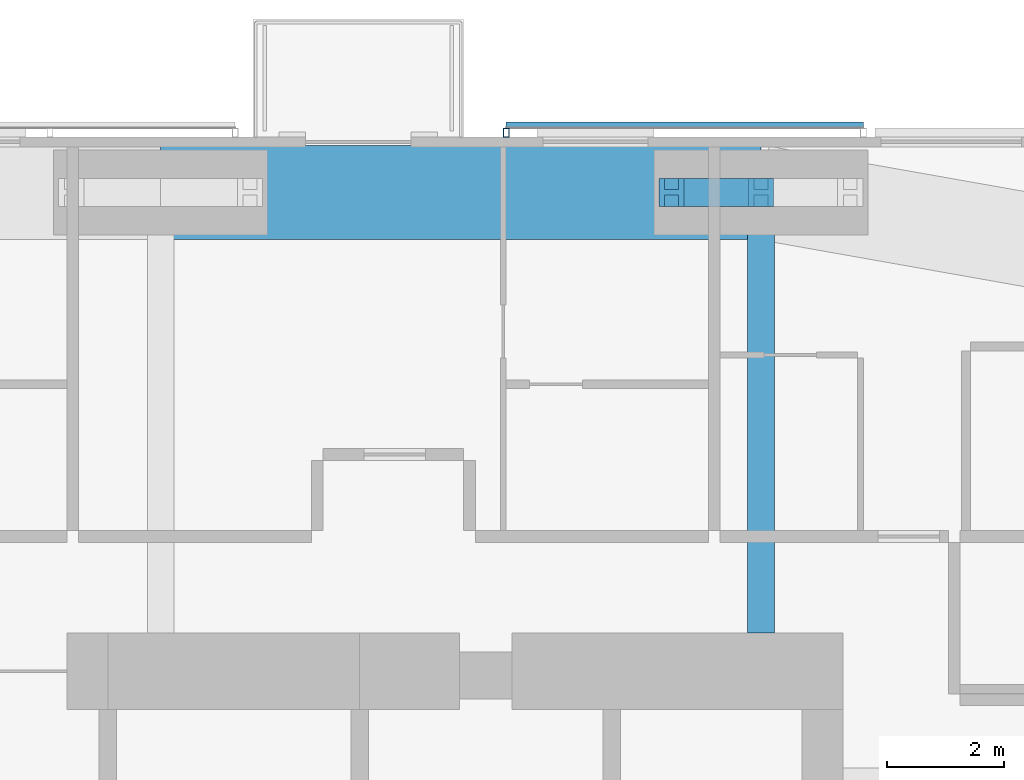
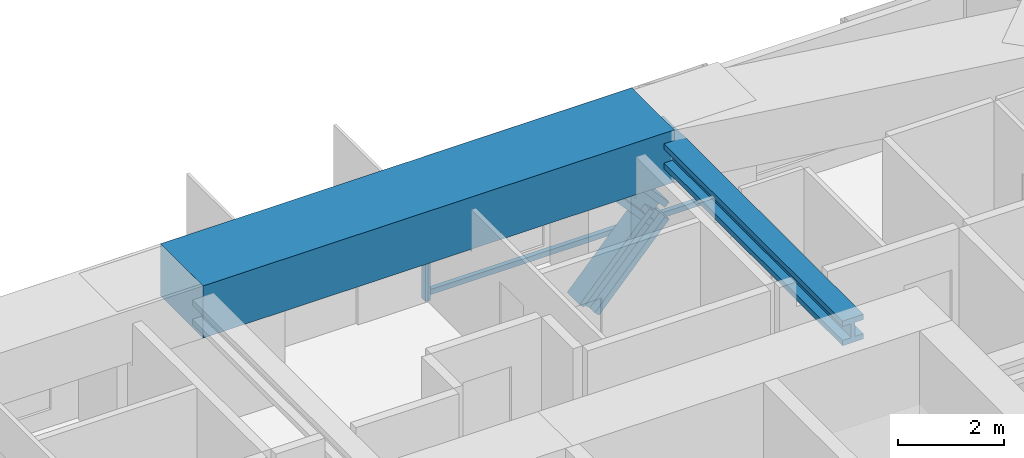
# One storey, part 13 of 23: 4 members, 2 beams, 1 element without a shape of its own.
"""IFC4 building model written with IfcOpenShell, lengths in metres."""

import ifcopenshell
import ifcopenshell.guid

model = None  # the IFC model being written
_history = None  # IfcOwnerHistory: only IFC2X3 demands one
_inside = {}  # id of a spatial element -> (the spatial element, [elements in it])
_under = {}  # id of a project, library or spatial element -> (it, [spatial elements below it])
_declared = {}  # id of a project -> (the project, [libraries it declares])
_typed = {}  # id of a type object -> (the type object, [elements of that type])
_made_of = {}  # id of a material, layer set ... -> (it, [elements and type objects made of it])


def new_model(schema):
    """Start an empty IFC model of exactly this schema.

    Asked for "IFC4X3", IfcOpenShell would pick the latest addendum, in which some entities
    have other attributes; the version numbers below select the first issue.
    IFC2X3 requires an IfcOwnerHistory on every rooted entity: one is made here for all.
    """
    global model, _history
    if schema == "IFC4X3":
        model = ifcopenshell.file(schema_version=(4, 3, 0, 0))
    else:
        model = ifcopenshell.file(schema=schema)
    _inside.clear()
    _under.clear()
    _declared.clear()
    _typed.clear()
    _made_of.clear()
    _history = None
    if model.schema == "IFC2X3":
        org = make("IfcOrganization", Name="unknown")
        user = make(
            "IfcPersonAndOrganization",
            ThePerson=make("IfcPerson", FamilyName="unknown"),
            TheOrganization=org,
        )
        app = make(
            "IfcApplication",
            ApplicationDeveloper=org,
            Version="unknown",
            ApplicationFullName="unknown",
            ApplicationIdentifier="unknown",
        )
        _history = make(
            "IfcOwnerHistory",
            OwningUser=user,
            OwningApplication=app,
            ChangeAction="ADDED",
            CreationDate=0,
        )
    return model


def make(cls, **values):
    """One entity of the class cls with the attributes given. An attribute that is None is left unset."""
    return model.create_entity(
        cls, **{name: value for name, value in values.items() if value is not None}
    )


def rooted(cls, **values):
    """An entity with a GlobalId (a new one), such as an element, a storey or a relation."""
    return make(cls, GlobalId=ifcopenshell.guid.new(), OwnerHistory=_history, **values)


def si_unit(unit_type, name, prefix=None):
    """IfcSIUnit, for example si_unit("LENGTHUNIT", "METRE", prefix="MILLI")."""
    return make("IfcSIUnit", UnitType=unit_type, Prefix=prefix, Name=name)


def assignment(units):
    """IfcUnitAssignment: the units of a project."""
    return None if units is None else make("IfcUnitAssignment", Units=units)


def point(xyz):
    """IfcCartesianPoint."""
    return None if xyz is None else make("IfcCartesianPoint", Coordinates=xyz)


def direction(xyz):
    """IfcDirection."""
    return None if xyz is None else make("IfcDirection", DirectionRatios=xyz)


def frame(location, z_axis=None, x_axis=None):
    """IfcAxis2Placement3D, a coordinate frame: its origin and axes. An axis left out is left unset."""
    return make(
        "IfcAxis2Placement3D",
        Location=point(location),
        Axis=direction(z_axis),
        RefDirection=direction(x_axis),
    )


def frame_2d(location, x_axis=None):
    """IfcAxis2Placement2D, a coordinate frame in the plane: its origin and x axis."""
    return make(
        "IfcAxis2Placement2D", Location=point(location), RefDirection=direction(x_axis)
    )


def origin():
    """The frame at (0, 0, 0) with its axes left unset."""
    return frame((0.0, 0.0, 0.0))


def origin_2d():
    """The frame at (0, 0) in the plane with its x axis left unset."""
    return frame_2d((0.0, 0.0))


def place(relative_to, where):
    """IfcLocalPlacement: puts the frame where relative to a parent placement (None: the world)."""
    return make(
        "IfcLocalPlacement", PlacementRelTo=relative_to, RelativePlacement=where
    )


def context(
    kind, dimensions, precision=None, world=None, true_north=None, identifier=None
):
    """IfcGeometricRepresentationContext, for example the 3D "Model" context."""
    return make(
        "IfcGeometricRepresentationContext",
        ContextIdentifier=identifier,
        ContextType=kind,
        CoordinateSpaceDimension=dimensions,
        Precision=precision,
        WorldCoordinateSystem=world,
        TrueNorth=true_north,
    )


def subcontext(parent, identifier, kind, view, scale=None):
    """IfcGeometricRepresentationSubContext, for example "Body" below "Model"."""
    return make(
        "IfcGeometricRepresentationSubContext",
        ContextIdentifier=identifier,
        ContextType=kind,
        ParentContext=parent,
        TargetScale=scale,
        TargetView=view,
    )


def project(units=None, contexts=None):
    """IfcProject with its units and contexts."""
    return rooted(
        "IfcProject",
        Name="project",
        RepresentationContexts=contexts,
        UnitsInContext=assignment(units),
    )


def spatial(cls, under=None, at=None, **own):
    """A site, building, storey or space (cls), placed at a placement, below another one or the project."""
    s = rooted(cls, ObjectPlacement=at, **own)
    if under is not None:
        _under.setdefault(under.id(), (under, []))[1].append(s)
    return s


def profile(cls, at=None, kind="AREA", **sizes):
    """A parametric profile (cls). Its sizes go by their IFC names, for example OverallWidth=200.0."""
    return make(cls, ProfileType=kind, Position=at, **sizes)


def rectangle(**sizes):
    """IfcRectangleProfileDef."""
    return profile("IfcRectangleProfileDef", **sizes)


def hollow_rectangle(**sizes):
    """IfcRectangleHollowProfileDef."""
    return profile("IfcRectangleHollowProfileDef", **sizes)


def i_section(**sizes):
    """IfcIShapeProfileDef."""
    return profile("IfcIShapeProfileDef", **sizes)


def extrude(swept, where, along, depth):
    """IfcExtrudedAreaSolid: the profile swept, set in the frame where, extruded along a direction by depth."""
    return make(
        "IfcExtrudedAreaSolid",
        SweptArea=swept,
        Position=where,
        ExtrudedDirection=direction(along),
        Depth=depth,
    )


def shape(context_of_items, identifier, shape_type, items):
    """IfcShapeRepresentation: the items that make up one representation, for example the "Body"."""
    return make(
        "IfcShapeRepresentation",
        ContextOfItems=context_of_items,
        RepresentationIdentifier=identifier,
        RepresentationType=shape_type,
        Items=items,
    )


def material(Name=None, Category=None):
    """IfcMaterial."""
    return make("IfcMaterial", Name=Name, Category=Category)


def material_profile(
    of_material, cross_section, Name=None, Category=None, Priority=None
):
    """IfcMaterialProfile: a cross section and its material."""
    return make(
        "IfcMaterialProfile",
        Name=Name,
        Material=of_material,
        Profile=cross_section,
        Priority=Priority,
        Category=Category,
    )


def profile_set(profiles, Name=None, composite=None):
    """IfcMaterialProfileSet."""
    return make(
        "IfcMaterialProfileSet",
        Name=Name,
        MaterialProfiles=profiles,
        CompositeProfile=composite,
    )


def made_of(thing, what):
    """Note that an element or type object is made of a material, layer set ...; save() writes the relation."""
    if what is not None:
        _made_of.setdefault(what.id(), (what, []))[1].append(thing)
    return thing


def type_object(cls, material=None, **own):
    """A type object (cls), such as IfcWallType, which elements share."""
    return made_of(rooted(cls, **own), material)


def element(
    cls,
    number,
    at=None,
    inside=None,
    cuts=None,
    type_object=None,
    material=None,
    context=None,
    identifier="Body",
    shape_type=None,
    held_by="IfcProductDefinitionShape",
    body=None,
    shapes=None,
    **own,
):
    """One element of the class cls, such as IfcWall. Its Tag is "e" and its number.

    at: its placement. inside: the storey or other place that contains it. cuts: it is an
    opening in that element (IfcRelVoidsElement). A single representation is given by context,
    identifier, shape_type and body (its items); several are given by shapes. held_by: the class
    of the entity that holds the representations. save() writes the other relations.
    """
    e = rooted(cls, Tag="e%d" % number, ObjectPlacement=at, **own)
    if body is not None:
        shapes = [shape(context, identifier, shape_type, body)]
    if shapes is not None:
        e.Representation = make(held_by, Representations=shapes)
    if inside is not None:
        _inside.setdefault(inside.id(), (inside, []))[1].append(e)
    if cuts is not None:
        rooted(
            "IfcRelVoidsElement", RelatingBuildingElement=cuts, RelatedOpeningElement=e
        )
    if type_object is not None:
        _typed.setdefault(type_object.id(), (type_object, []))[1].append(e)
    return made_of(e, material)


def aggregate(whole, parts):
    """IfcRelAggregates: a whole, such as a stair, and the parts it consists of."""
    return rooted("IfcRelAggregates", RelatingObject=whole, RelatedObjects=parts)


def save(model, path):
    """Write the relations noted so far, then the file.

    IfcRelAggregates (storeys below a building ...), IfcRelContainedInSpatialStructure (elements
    in a storey), IfcRelDefinesByType, IfcRelAssociatesMaterial and IfcRelDeclares: one each for
    every whole, place, type object, material and project.
    """
    for whole, parts in _under.values():
        aggregate(whole, parts)
    for where, things in _inside.values():
        rooted(
            "IfcRelContainedInSpatialStructure",
            RelatedElements=things,
            RelatingStructure=where,
        )
    for kind, things in _typed.values():
        rooted("IfcRelDefinesByType", RelatedObjects=things, RelatingType=kind)
    for what, things in _made_of.values():
        rooted("IfcRelAssociatesMaterial", RelatedObjects=things, RelatingMaterial=what)
    for by, libraries in _declared.values():
        rooted("IfcRelDeclares", RelatingContext=by, RelatedDefinitions=libraries)
    model.write(path)


model = new_model("IFC4")

# Units and contexts
model_context = context("Model", 3, precision=1e-05, world=origin(), true_north=direction((0.0, 1.0)))
body_context = subcontext(model_context, "Body", "Model", "MODEL_VIEW")
ifc_project = project(units=[si_unit("LENGTHUNIT", "METRE"), si_unit("AREAUNIT", "SQUARE_METRE"), si_unit("VOLUMEUNIT", "CUBIC_METRE"), si_unit("PLANEANGLEUNIT", "RADIAN"), si_unit("MASSUNIT", "GRAM", prefix="KILO")], contexts=[model_context])

# Site, building, storey
site_placement = place(None, origin())
site = spatial("IfcSite", under=ifc_project, at=site_placement, CompositionType="ELEMENT")
building_placement = place(site_placement, origin())
building = spatial("IfcBuilding", under=site, at=building_placement, Name="Jalousie Tower", CompositionType="ELEMENT")
storey_placement = place(building_placement, frame((0.0, 0.0, 184.5)))
storey = spatial("IfcBuildingStorey", under=building, at=storey_placement, Name="L50", CompositionType="ELEMENT", Elevation=184.5)

# Beam
ifc_material_1 = material(Name="Steel ASTM A992 Grade 50", Category="steel")
ifc_material_profile_1 = material_profile(ifc_material_1, i_section(OverallWidth=0.45458984375, OverallDepth=0.569091796875, WebThickness=0.077880859375, FlangeThickness=0.124755859375, at=origin_2d()), Name="W14X730")
ifc_profile_set_1 = profile_set([ifc_material_profile_1], Name="Steel ASTM A992 Grade 50")
beam_type_1 = type_object("IfcBeamType", Name="LEAN COLLECTOR W14X730", PredefinedType="BEAM", material=ifc_profile_set_1)
beam_1_placement = place(storey_placement, frame((42.75, 35.050048828125, 2.825439453125), z_axis=(0.0, -1.0, 0.0), x_axis=(1.0, 0.0, 0.0)))
element("IfcBeam", 1, at=beam_1_placement, inside=storey, type_object=beam_type_1, Name="Lean collector under L51", PredefinedType="BEAM", context=body_context, shape_type="SweptSolid", body=[
    extrude(i_section(OverallWidth=0.45458984375, OverallDepth=0.569091796875, WebThickness=0.077880859375, FlangeThickness=0.124755859375, at=origin_2d()), origin(), (0.0, 0.0, 1.0), 7.525146484375),
])

# Members
ifc_material_2 = material(Name="Steel ASTM A992 Grade 50", Category="steel")
ifc_material_profile_2 = material_profile(ifc_material_2, i_section(OverallWidth=0.472412109375, OverallDepth=0.5791015625, WebThickness=0.094970703125, FlangeThickness=0.1298828125, at=origin_2d()), Name="W14X808")
ifc_profile_set_2 = profile_set([ifc_material_profile_2], Name="Steel ASTM A992 Grade 50")
member_type_1 = type_object("IfcMemberType", Name="PERIMETER BRACE W14X808", PredefinedType="BRACE", material=ifc_profile_set_2)
for number, where, z_axis, x_axis, name in (
    (2, (41.22509765625, 35.050048828125, -0.60009765625), (0.673187629365, 0.0, 0.739471713908), (0.0, 1.0, 0.0), "Perimeter brace 09 L50 part 1"),
    (3, (42.75, 35.050048828125, 1.074951171875), (-0.673187629365, 0.0, 0.739471713908), (0.0, -1.0, 0.0), "Perimeter brace 09 L50 part 4"),
):
    element("IfcMember", number, at=place(storey_placement, frame(where, z_axis=z_axis, x_axis=x_axis)), inside=storey, type_object=member_type_1, Name=name, PredefinedType="BRACE", context=body_context, shape_type="SweptSolid", body=[
        extrude(i_section(OverallWidth=0.472412109375, OverallDepth=0.5791015625, WebThickness=0.094970703125, FlangeThickness=0.1298828125, at=origin_2d()), origin(), (0.0, 0.0, 1.0), 2.26513671875),
    ])

# Beam
ifc_material_3 = material(Name="Concrete f'c 40 MPa", Category="concrete")
ifc_material_profile_3 = material_profile(ifc_material_3, rectangle(XDim=1.60009765625, YDim=1.199951171875, at=origin_2d()), Name="RC 1600x1200")
ifc_profile_set_3 = profile_set([ifc_material_profile_3], Name="Concrete f'c 40 MPa")
beam_type_2 = type_object("IfcBeamType", Name="RC BEAM 1600x1200", PredefinedType="BEAM", material=ifc_profile_set_3)
beam_2_placement = place(storey_placement, frame((42.75, 35.050048828125, 2.75), z_axis=(-1.0, 0.0, 0.0), x_axis=(0.0, -1.0, 0.0)))
element("IfcBeam", 4, at=beam_2_placement, inside=storey, type_object=beam_type_2, Name="Edge band beam 09-10 under L51", PredefinedType="BEAM", context=body_context, shape_type="SweptSolid", body=[
    extrude(rectangle(XDim=1.60009765625, YDim=1.199951171875, at=origin_2d()), origin(), (0.0, 0.0, 1.0), 10.25),
])

# Curtain wall, members
ifc_material_4 = material(Name="Perforated aluminium sheet", Category="aluminium")
curtain_wall_type = type_object("IfcCurtainWallType", Name="SOLAR SCREEN SS-1", PredefinedType="USERDEFINED", material=ifc_material_4)
curtain_wall_placement = place(storey_placement, origin())
curtain_wall = element("IfcCurtainWall", 5, at=curtain_wall_placement, inside=storey, type_object=curtain_wall_type, Name="Solar screen L50", ObjectType="SOLAR SCREEN SS-1", PredefinedType="USERDEFINED")
ifc_material_5 = material(Name="Steel ASTM A500 Grade C", Category="steel")
ifc_material_profile_4 = material_profile(ifc_material_5, hollow_rectangle(XDim=0.1015625, YDim=0.15234375, WallThickness=0.00634765625, at=origin_2d()), Name="HSS6X4X1/4")
ifc_profile_set_4 = profile_set([ifc_material_profile_4], Name="Steel ASTM A500 Grade C")
member_type_2 = type_object("IfcMemberType", Name="SOLAR SCREEN SS-1 MULLION", PredefinedType="MULLION", material=ifc_profile_set_4)
member_1_placement = place(storey_placement, frame((38.39990234375, 36.0712890625, -0.1201171875), z_axis=(0.0, 0.0, 1.0), x_axis=(-1.0, 0.0, 0.0)))
member_1 = element("IfcMember", 6, at=member_1_placement, type_object=member_type_2, Name="SS1 post 2", PredefinedType="MULLION", context=body_context, shape_type="SweptSolid", body=[
    extrude(hollow_rectangle(XDim=0.1015625, YDim=0.15234375, WallThickness=0.00634765625, at=origin_2d()), origin(), (0.0, 0.0, 1.0), 3.230224609375),
])
ifc_material_6 = material(Name="Extruded aluminium screen rail", Category="aluminium")
ifc_material_profile_5 = material_profile(ifc_material_6, rectangle(XDim=0.1015625, YDim=0.1201171875, at=origin_2d()), Name="RAIL 102x120")
ifc_profile_set_5 = profile_set([ifc_material_profile_5], Name="Extruded aluminium screen rail")
member_type_3 = type_object("IfcMemberType", Name="SOLAR SCREEN SS-1 TRANSOM", PredefinedType="USERDEFINED", material=ifc_profile_set_5)
member_2_placement = place(storey_placement, frame((44.499267578125, 36.1982421875, -0.06005859375), z_axis=(-1.0, 0.0, 0.0), x_axis=(0.0, -1.0, 0.0)))
member_2 = element("IfcMember", 7, at=member_2_placement, type_object=member_type_3, Name="SS1 rail", ObjectType="TRANSOM", PredefinedType="USERDEFINED", context=body_context, shape_type="SweptSolid", body=[
    extrude(rectangle(XDim=0.1015625, YDim=0.1201171875, at=origin_2d()), origin(), (0.0, 0.0, 1.0), 6.099365234375),
])
aggregate(curtain_wall, [member_1, member_2])

save(model, "model.ifc")
